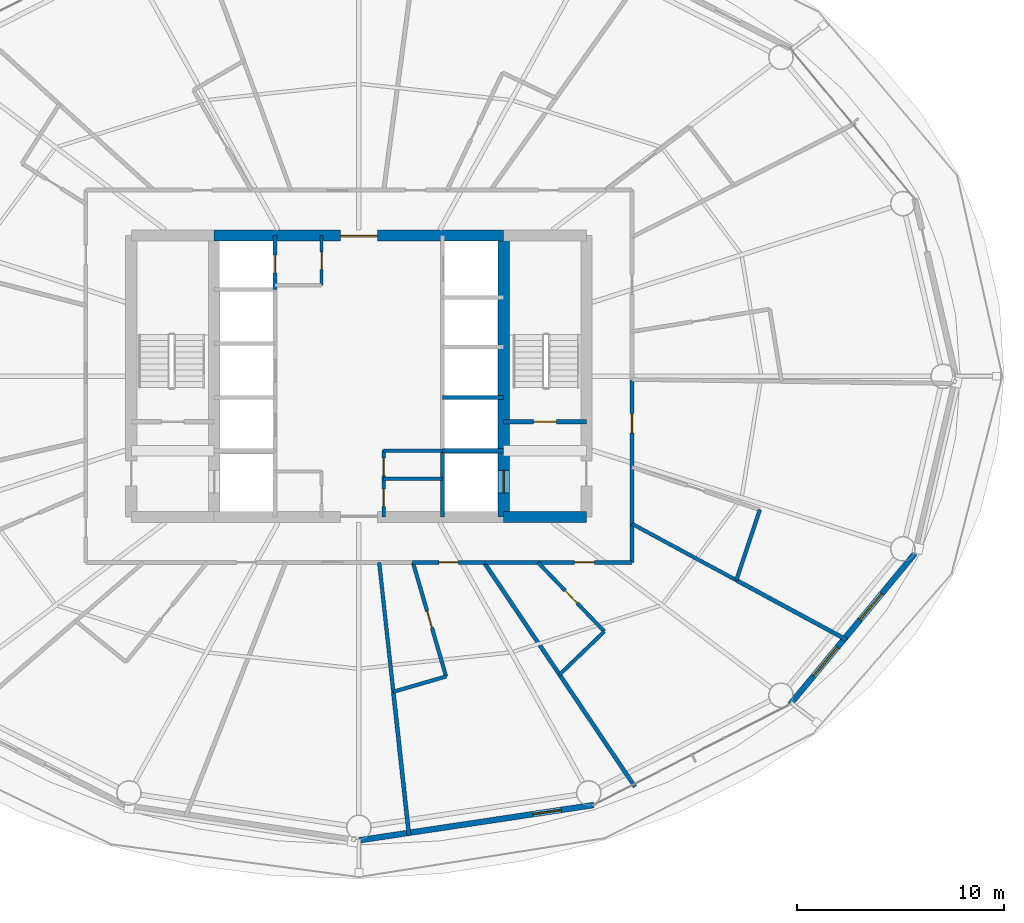
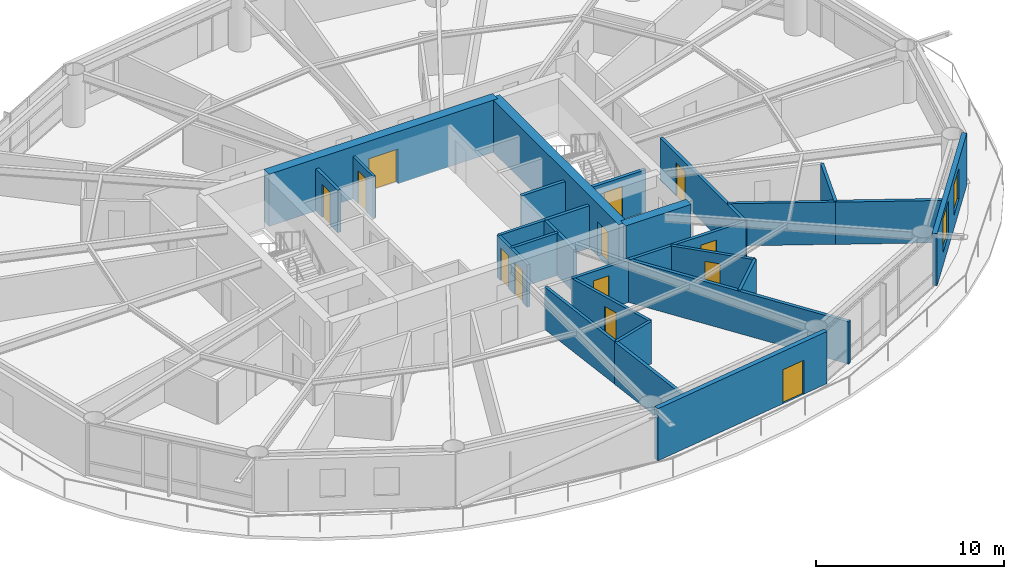
# One storey, part 19 of 24: 27 walls, 13 doors, 2 windows, 15 openings.
"""IFC4 building model written with IfcOpenShell, lengths in metres."""

from ifc_helpers import new_model, si_unit, direction, frame, frame_2d, origin, place, context, subcontext, project, spatial, rectangle, extrude, material, layer, layer_set, type_object, element, fill, save


model = new_model("IFC4")

# Units and contexts
model_context = context("Model", 3, precision=1e-05, world=origin(), true_north=direction((0.0, 1.0)))
body_context = subcontext(model_context, "Body", "Model", "MODEL_VIEW")
ifc_project = project(units=[si_unit("LENGTHUNIT", "METRE"), si_unit("AREAUNIT", "SQUARE_METRE"), si_unit("VOLUMEUNIT", "CUBIC_METRE"), si_unit("PLANEANGLEUNIT", "RADIAN"), si_unit("MASSUNIT", "GRAM", prefix="KILO")], contexts=[model_context])

# Site, building, storey
site_placement = place(None, origin())
site = spatial("IfcSite", under=ifc_project, at=site_placement, CompositionType="ELEMENT")
building_placement = place(site_placement, origin())
building = spatial("IfcBuilding", under=site, at=building_placement, Name="Sarneth Arch Tower", CompositionType="ELEMENT")
storey_placement = place(building_placement, frame((0.0, 0.0, 105.60009765625)))
storey = spatial("IfcBuildingStorey", under=building, at=storey_placement, Name="L26", CompositionType="ELEMENT", Elevation=105.60009765625)

# Wall
ifc_material_1 = material(Name="Concrete C60/75", Category="concrete")
ifc_layer_1 = layer(ifc_material_1, 0.550048828125)
ifc_layer_set_1 = layer_set([ifc_layer_1], Name="Concrete C60/75")
wall_type_1 = type_object("IfcWallType", Name="WALL-CORE-550", PredefinedType="SHEAR", material=ifc_layer_set_1)
wall_1_placement = place(storey_placement, frame((55.0, 35.199951171875, 0.0), z_axis=(0.0, 0.0, 1.0), x_axis=(1.0, 0.0, 0.0)))
element("IfcWall", 1, at=wall_1_placement, inside=storey, type_object=wall_type_1, Name="L26 Core shear wall S-E", PredefinedType="SHEAR", context=body_context, shape_type="SweptSolid", body=[
    extrude(rectangle(XDim=4.0, YDim=0.550048828125, at=frame_2d((2.0, 0.0))), origin(), (0.0, 0.0, 1.0), 3.3798828125),
])

# Wall, opening, door
wall_2_placement = place(storey_placement, frame((41.0, 48.800048828125, 0.0), z_axis=(0.0, 0.0, 1.0), x_axis=(1.0, 0.0, 0.0)))
wall_2 = element("IfcWall", 2, at=wall_2_placement, inside=storey, type_object=wall_type_1, Name="L26 Core shear wall N-M", PredefinedType="SHEAR", context=body_context, shape_type="SweptSolid", body=[
    extrude(rectangle(XDim=14.0, YDim=0.550048828125, at=frame_2d((7.0, 0.0))), origin(), (0.0, 0.0, 1.0), 3.3798828125),
])
opening_1_placement = place(wall_2_placement, frame((6.10009765625, 0.0, 0.0)))
opening_1 = element("IfcOpeningElement", 3, at=opening_1_placement, cuts=wall_2, Name="Opening FD-01", PredefinedType="OPENING", context=body_context, shape_type="SweptSolid", body=[
    extrude(rectangle(XDim=1.800048828125, YDim=2.25, at=frame_2d((0.89990234375, 1.125))), frame((0.0, 0.284912109375, 0.0), z_axis=(0.0, -1.0, 0.0), x_axis=(1.0, 0.0, 0.0)), (0.0, 0.0, 1.0), 0.570068359375),
])
ifc_material_2 = material(Name="Galvanised Steel S275 fire door set", Category="steel")
door_type_1 = type_object("IfcDoorType", Name="DR-FD90-1800", OperationType="DOUBLE_DOOR_SINGLE_SWING", PredefinedType="DOOR", material=ifc_material_2)
door_1_placement = place(opening_1_placement, origin())
door_1 = element("IfcDoor", 4, at=door_1_placement, inside=storey, type_object=door_type_1, Name="L26 Central lift lobby north door", OperationType="DOUBLE_DOOR_SINGLE_SWING", OverallHeight=2.25, OverallWidth=1.800048828125, PredefinedType="DOOR", context=body_context, shape_type="SweptSolid", body=[
    extrude(rectangle(XDim=1.800048828125, YDim=2.25, at=frame_2d((0.89990234375, 1.125))), frame((0.0, 0.02490234375, 0.0), z_axis=(0.0, -1.0, 0.0), x_axis=(1.0, 0.0, 0.0)), (0.0, 0.0, 1.0), 0.050048828125),
])
fill(opening_1, door_1)

wall_3_placement = place(storey_placement, frame((55.0, 35.199951171875, 0.0), z_axis=(0.0, 0.0, 1.0), x_axis=(0.0, 1.0, 0.0)))
wall_3 = element("IfcWall", 5, at=wall_3_placement, inside=storey, type_object=wall_type_1, Name="L26 Core shear wall WEB-E", PredefinedType="SHEAR", context=body_context, shape_type="SweptSolid", body=[
    extrude(rectangle(XDim=13.60009765625, YDim=0.550048828125, at=frame_2d((6.800048828125, 0.0))), origin(), (0.0, 0.0, 1.0), 3.3798828125),
])
opening_2_placement = place(wall_3_placement, frame((1.14990234375, 0.0, 0.0)))
opening_2 = element("IfcOpeningElement", 6, at=opening_2_placement, cuts=wall_3, Name="Opening LD-1", PredefinedType="OPENING", context=body_context, shape_type="SweptSolid", body=[
    extrude(rectangle(XDim=1.10009765625, YDim=2.199951171875, at=frame_2d((0.550048828125, 1.10009765625))), frame((0.0, 0.284912109375, 0.0), z_axis=(0.0, -1.0, 0.0), x_axis=(1.0, 0.0, 0.0)), (0.0, 0.0, 1.0), 0.570068359375),
])
ifc_material_3 = material(Name="Brushed Stainless Steel 304 lift landing door", Category="steel")
door_type_2 = type_object("IfcDoorType", Name="DR-LIFT-SLIDE-1100", OperationType="SLIDING_TO_LEFT", PredefinedType="DOOR", material=ifc_material_3)
door_2_placement = place(opening_2_placement, origin())
door_2 = element("IfcDoor", 7, at=door_2_placement, inside=storey, type_object=door_type_2, Name="L26 Firefighting lift landing door FL-2", OperationType="SLIDING_TO_RIGHT", OverallHeight=2.199951171875, OverallWidth=1.10009765625, PredefinedType="DOOR", context=body_context, shape_type="SweptSolid", body=[
    extrude(rectangle(XDim=1.10009765625, YDim=2.199951171875, at=frame_2d((0.550048828125, 1.10009765625))), frame((0.0, 0.02490234375, 0.0), z_axis=(0.0, -1.0, 0.0), x_axis=(1.0, 0.0, 0.0)), (0.0, 0.0, 1.0), 0.050048828125),
])
fill(opening_2, door_2)

ifc_material_4 = material(Name="Double steel-stud corridor fire wall", Category="steel")
ifc_layer_2 = layer(ifc_material_4, 0.18994140625)
ifc_layer_set_2 = layer_set([ifc_layer_2], Name="Double steel-stud corridor fire wall")
wall_type_2 = type_object("IfcWallType", Name="WALL-CORR-190", PredefinedType="PARTITIONING", material=ifc_layer_set_2)
wall_4_placement = place(storey_placement, frame((61.199951171875, 33.0, 0.0), z_axis=(0.0, 0.0, 1.0), x_axis=(-1.0, 0.0, 0.0)))
wall_4 = element("IfcWall", 8, at=wall_4_placement, inside=storey, type_object=wall_type_2, Name="L26 Interior partition W-L26-TP-022", PredefinedType="PARTITIONING", context=body_context, shape_type="SweptSolid", body=[
    extrude(rectangle(XDim=7.185546875, YDim=0.18994140625, at=frame_2d((3.5927734375, 0.0))), origin(), (0.0, 0.0, 1.0), 2.739990234375),
])
opening_3_placement = place(wall_4_placement, frame((1.81787109375, 0.0, 0.0)))
opening_3 = element("IfcOpeningElement", 9, at=opening_3_placement, cuts=wall_4, Name="Opening FD-09", PredefinedType="OPENING", context=body_context, shape_type="SweptSolid", body=[
    extrude(rectangle(XDim=0.949951171875, YDim=2.14990234375, at=frame_2d((0.47509765625, 1.074951171875))), frame((0.0, 0.10498046875, 0.0), z_axis=(0.0, -1.0, 0.0), x_axis=(1.0, 0.0, 0.0)), (0.0, 0.0, 1.0), 0.2099609375),
])
ifc_material_5 = material(Name="Hardwood timber hotel entrance fire door", Category="wood")
door_type_3 = type_object("IfcDoorType", Name="DR-FD60-950", OperationType="SINGLE_SWING_RIGHT", PredefinedType="DOOR", material=ifc_material_5)
door_3_placement = place(opening_3_placement, origin())
door_3 = element("IfcDoor", 10, at=door_3_placement, inside=storey, type_object=door_type_3, Name="L26 Interior door DR-L26-KEY-11", OperationType="SINGLE_SWING_LEFT", OverallHeight=2.14990234375, OverallWidth=0.949951171875, PredefinedType="DOOR", context=body_context, shape_type="SweptSolid", body=[
    extrude(rectangle(XDim=0.949951171875, YDim=2.14990234375, at=frame_2d((0.47509765625, 1.074951171875))), frame((0.0, 0.02490234375, 0.0), z_axis=(0.0, -1.0, 0.0), x_axis=(1.0, 0.0, 0.0)), (0.0, 0.0, 1.0), 0.050048828125),
])
fill(opening_3, door_3)

wall_5_placement = place(storey_placement, frame((61.199951171875, 41.87255859375, 0.0), z_axis=(0.0, 0.0, 1.0), x_axis=(0.0, -1.0, 0.0)))
wall_5 = element("IfcWall", 11, at=wall_5_placement, inside=storey, type_object=wall_type_2, Name="L26 Interior partition W-L26-TP-024", PredefinedType="PARTITIONING", context=body_context, shape_type="SweptSolid", body=[
    extrude(rectangle(XDim=8.87255859375, YDim=0.18994140625, at=frame_2d((4.436279296875, 0.0))), origin(), (0.0, 0.0, 1.0), 2.739990234375),
])
opening_4_placement = place(wall_5_placement, frame((1.675537109375, 0.0, 0.0)))
opening_4 = element("IfcOpeningElement", 12, at=opening_4_placement, cuts=wall_5, Name="Opening FD-09", PredefinedType="OPENING", context=body_context, shape_type="SweptSolid", body=[
    extrude(rectangle(XDim=0.949951171875, YDim=2.14990234375, at=frame_2d((0.47509765625, 1.074951171875))), frame((0.0, 0.10498046875, 0.0), z_axis=(0.0, -1.0, 0.0), x_axis=(1.0, 0.0, 0.0)), (0.0, 0.0, 1.0), 0.2099609375),
])
door_4_placement = place(opening_4_placement, origin())
door_4 = element("IfcDoor", 13, at=door_4_placement, inside=storey, type_object=door_type_3, Name="L26 Interior door DR-L26-KEY-12", OperationType="SINGLE_SWING_RIGHT", OverallHeight=2.14990234375, OverallWidth=0.949951171875, PredefinedType="DOOR", context=body_context, shape_type="SweptSolid", body=[
    extrude(rectangle(XDim=0.949951171875, YDim=2.14990234375, at=frame_2d((0.47509765625, 1.074951171875))), frame((0.0, 0.02490234375, 0.0), z_axis=(0.0, -1.0, 0.0), x_axis=(1.0, 0.0, 0.0)), (0.0, 0.0, 1.0), 0.050048828125),
])
fill(opening_4, door_4)

wall_6_placement = place(storey_placement, frame((54.091552734375, 33.0, 0.0), z_axis=(0.0, 0.0, 1.0), x_axis=(-1.0, 0.0, 0.0)))
wall_6 = element("IfcWall", 14, at=wall_6_placement, inside=storey, type_object=wall_type_2, Name="L26 Interior partition W-L26-TP-019", PredefinedType="PARTITIONING", context=body_context, shape_type="SweptSolid", body=[
    extrude(rectangle(XDim=3.51025390625, YDim=0.18994140625, at=frame_2d((1.755126953125, 0.0))), origin(), (0.0, 0.0, 1.0), 2.739990234375),
])
opening_5_placement = place(wall_6_placement, frame((1.280029296875, 0.0, 0.0)))
opening_5 = element("IfcOpeningElement", 15, at=opening_5_placement, cuts=wall_6, Name="Opening FD-09", PredefinedType="OPENING", context=body_context, shape_type="SweptSolid", body=[
    extrude(rectangle(XDim=0.949951171875, YDim=2.14990234375, at=frame_2d((0.47509765625, 1.074951171875))), frame((0.0, 0.10498046875, 0.0), z_axis=(0.0, -1.0, 0.0), x_axis=(1.0, 0.0, 0.0)), (0.0, 0.0, 1.0), 0.2099609375),
])
door_5_placement = place(opening_5_placement, origin())
door_5 = element("IfcDoor", 16, at=door_5_placement, inside=storey, type_object=door_type_3, Name="L26 Interior door DR-L26-KEY-10", OperationType="SINGLE_SWING_LEFT", OverallHeight=2.14990234375, OverallWidth=0.949951171875, PredefinedType="DOOR", context=body_context, shape_type="SweptSolid", body=[
    extrude(rectangle(XDim=0.949951171875, YDim=2.14990234375, at=frame_2d((0.47509765625, 1.074951171875))), frame((0.0, 0.02490234375, 0.0), z_axis=(0.0, -1.0, 0.0), x_axis=(1.0, 0.0, 0.0)), (0.0, 0.0, 1.0), 0.050048828125),
])
fill(opening_5, door_5)

ifc_material_6 = material(Name="Extruded terracotta rainscreen on Concrete C40/50 backing", Category="masonry")
ifc_layer_3 = layer(ifc_material_6, 0.280029296875)
ifc_layer_set_3 = layer_set([ifc_layer_3], Name="Extruded terracotta rainscreen on Concrete C40/50 backing")
wall_type_3 = type_object("IfcWallType", Name="WALL-EXT-TERRA-280", PredefinedType="SOLIDWALL", material=ifc_layer_set_3)
wall_7_placement = place(storey_placement, frame((48.0, 19.570068359375, 0.0), z_axis=(0.0, 0.0, 1.0), x_axis=(0.988877774656, 0.148730450117, 0.0)))
wall_7 = element("IfcWall", 17, at=wall_7_placement, inside=storey, type_object=wall_type_3, Name="L26 Terracotta perimeter wall 13", PredefinedType="SOLIDWALL", context=body_context, shape_type="SweptSolid", body=[
    extrude(rectangle(XDim=11.47900390625, YDim=0.280029296875, at=frame_2d((5.739501953125, 0.0))), origin(), (0.0, 0.0, 1.0), 3.3798828125),
])
opening_6_placement = place(wall_7_placement, frame((8.497314453125, 0.0, 0.0)))
opening_6 = element("IfcOpeningElement", 18, at=opening_6_placement, cuts=wall_7, Name="Opening BD-2", PredefinedType="OPENING", context=body_context, shape_type="SweptSolid", body=[
    extrude(rectangle(XDim=1.39990234375, YDim=2.199951171875, at=frame_2d((0.699951171875, 1.10009765625))), frame((0.0, 0.14990234375, 0.0), z_axis=(0.0, -1.0, 0.0), x_axis=(1.0, 0.0, 0.0)), (0.0, 0.0, 1.0), 0.300048828125),
])
ifc_material_7 = material(Name="Thermally broken Aluminium 6063-T6 and laminated safety glass", Category="aluminium")
door_type_4 = type_object("IfcDoorType", Name="DR-BALC-GLZ-1400", OperationType="SINGLE_SWING_LEFT", PredefinedType="DOOR", material=ifc_material_7)
door_6_placement = place(opening_6_placement, origin())
door_6 = element("IfcDoor", 19, at=door_6_placement, inside=storey, type_object=door_type_4, Name="L26 Balcony glazed door 13", OperationType="SINGLE_SWING_LEFT", OverallHeight=2.199951171875, OverallWidth=1.39990234375, PredefinedType="DOOR", context=body_context, shape_type="SweptSolid", body=[
    extrude(rectangle(XDim=1.39990234375, YDim=2.199951171875, at=frame_2d((0.699951171875, 1.10009765625))), frame((0.0, 0.02490234375, 0.0), z_axis=(0.0, -1.0, 0.0), x_axis=(1.0, 0.0, 0.0)), (0.0, 0.0, 1.0), 0.050048828125),
])
fill(opening_6, door_6)

# Wall, openings, windows
wall_8_placement = place(storey_placement, frame((68.840087890625, 26.1396484375, 0.0), z_axis=(0.0, 0.0, 1.0), x_axis=(0.637505817448, 0.770445541696, 0.0)))
wall_8 = element("IfcWall", 20, at=wall_8_placement, inside=storey, type_object=wall_type_3, Name="L26 Terracotta perimeter wall 15", PredefinedType="SOLIDWALL", context=body_context, shape_type="SweptSolid", body=[
    extrude(rectangle(XDim=9.445068359375, YDim=0.280029296875, at=frame_2d((4.72265625, 0.0))), origin(), (0.0, 0.0, 1.0), 3.3798828125),
])
opening_7_placement = place(wall_8_placement, frame((1.780029296875, 0.0, 0.85009765625)))
opening_7 = element("IfcOpeningElement", 21, at=opening_7_placement, cuts=wall_8, Name="Opening W-04", PredefinedType="OPENING", context=body_context, shape_type="SweptSolid", body=[
    extrude(rectangle(XDim=1.800048828125, YDim=2.199951171875, at=frame_2d((0.89990234375, 1.10009765625))), frame((0.0, 0.14990234375, 0.0), z_axis=(0.0, -1.0, 0.0), x_axis=(1.0, 0.0, 0.0)), (0.0, 0.0, 1.0), 0.300048828125),
])
opening_8_placement = place(wall_8_placement, frame((5.30810546875, 0.0, 0.85009765625)))
opening_8 = element("IfcOpeningElement", 22, at=opening_8_placement, cuts=wall_8, Name="Opening W-05", PredefinedType="OPENING", context=body_context, shape_type="SweptSolid", body=[
    extrude(rectangle(XDim=1.64990234375, YDim=2.0, at=frame_2d((0.824951171875, 1.0))), frame((0.0, 0.14990234375, 0.0), z_axis=(0.0, -1.0, 0.0), x_axis=(1.0, 0.0, 0.0)), (0.0, 0.0, 1.0), 0.300048828125),
])
ifc_material_8 = material(Name="Thermally broken Aluminium 6063-T6 and low-e laminated IGU", Category="aluminium")
window_type_1 = type_object("IfcWindowType", Name="WIN-TWR-1650x2000", PartitioningType="DOUBLE_PANEL_VERTICAL", PredefinedType="WINDOW", material=ifc_material_8)
window_1_placement = place(opening_8_placement, origin())
window_1 = element("IfcWindow", 23, at=window_1_placement, inside=storey, type_object=window_type_1, Name="L26 Exterior window 15B", OverallHeight=2.0, OverallWidth=1.64990234375, PartitioningType="SINGLE_PANEL", PredefinedType="WINDOW", context=body_context, shape_type="SweptSolid", body=[
    extrude(rectangle(XDim=1.64990234375, YDim=2.0, at=frame_2d((0.824951171875, 1.0))), frame((0.0, 0.030029296875, 0.0), z_axis=(0.0, -1.0, 0.0), x_axis=(1.0, 0.0, 0.0)), (0.0, 0.0, 1.0), 0.06005859375),
])
fill(opening_8, window_1)
ifc_material_9 = material(Name="Thermally broken Aluminium 6063-T6 and low-e laminated IGU", Category="aluminium")
window_type_2 = type_object("IfcWindowType", Name="WIN-TWR-1800x2200", PartitioningType="DOUBLE_PANEL_VERTICAL", PredefinedType="WINDOW", material=ifc_material_9)
window_2_placement = place(opening_7_placement, origin())
window_2 = element("IfcWindow", 24, at=window_2_placement, inside=storey, type_object=window_type_2, Name="L26 Exterior window 15A", OverallHeight=2.199951171875, OverallWidth=1.800048828125, PartitioningType="SINGLE_PANEL", PredefinedType="WINDOW", context=body_context, shape_type="SweptSolid", body=[
    extrude(rectangle(XDim=1.800048828125, YDim=2.199951171875, at=frame_2d((0.89990234375, 1.10009765625))), frame((0.0, 0.030029296875, 0.0), z_axis=(0.0, -1.0, 0.0), x_axis=(1.0, 0.0, 0.0)), (0.0, 0.0, 1.0), 0.06005859375),
])
fill(opening_7, window_2)

# Wall, opening, door
ifc_material_10 = material(Name="Acoustic gypsum stud partition", Category="gypsum")
ifc_layer_4 = layer(ifc_material_10, 0.14990234375)
ifc_layer_set_4 = layer_set([ifc_layer_4], Name="Acoustic gypsum stud partition")
wall_type_4 = type_object("IfcWallType", Name="WALL-PART-150", PredefinedType="PARTITIONING", material=ifc_layer_set_4)
wall_9_placement = place(storey_placement, frame((46.199951171875, 46.39990234375, 0.0), z_axis=(0.0, 0.0, 1.0), x_axis=(0.0, 1.0, 0.0)))
wall_9 = element("IfcWall", 25, at=wall_9_placement, inside=storey, type_object=wall_type_4, Name="L26 Interior partition W-L26-CSUP2-E", PredefinedType="PARTITIONING", context=body_context, shape_type="SweptSolid", body=[
    extrude(rectangle(XDim=2.400146484375, YDim=0.14990234375, at=frame_2d((1.2001953125, 0.0))), origin(), (0.0, 0.0, 1.0), 2.739990234375),
])
opening_9_placement = place(wall_9_placement, frame((0.75, 0.0, 0.0)))
opening_9 = element("IfcOpeningElement", 26, at=opening_9_placement, cuts=wall_9, Name="Opening FD-11", PredefinedType="OPENING", context=body_context, shape_type="SweptSolid", body=[
    extrude(rectangle(XDim=0.85009765625, YDim=2.14990234375, at=frame_2d((0.425048828125, 1.074951171875))), frame((0.0, 0.0849609375, 0.0), z_axis=(0.0, -1.0, 0.0), x_axis=(1.0, 0.0, 0.0)), (0.0, 0.0, 1.0), 0.169921875),
])
ifc_material_11 = material(Name="Galvanised Steel S275 closet fire door", Category="steel")
door_type_5 = type_object("IfcDoorType", Name="DR-FD60-850", OperationType="SINGLE_SWING_LEFT", PredefinedType="DOOR", material=ifc_material_11)
door_7_placement = place(opening_9_placement, origin())
door_7 = element("IfcDoor", 27, at=door_7_placement, inside=storey, type_object=door_type_5, Name="L26 Interior door DR-L26-CSUP2", OperationType="SINGLE_SWING_RIGHT", OverallHeight=2.14990234375, OverallWidth=0.85009765625, PredefinedType="DOOR", context=body_context, shape_type="SweptSolid", body=[
    extrude(rectangle(XDim=0.85009765625, YDim=2.14990234375, at=frame_2d((0.425048828125, 1.074951171875))), frame((0.0, 0.02490234375, 0.0), z_axis=(0.0, -1.0, 0.0), x_axis=(1.0, 0.0, 0.0)), (0.0, 0.0, 1.0), 0.050048828125),
])
fill(opening_9, door_7)

# Walls
ifc_material_12 = material(Name="Moisture-resistant plumbing chase wall", Category="gypsum")
ifc_layer_5 = layer(ifc_material_12, 0.179931640625)
ifc_layer_set_5 = layer_set([ifc_layer_5], Name="Moisture-resistant plumbing chase wall")
wall_type_5 = type_object("IfcWallType", Name="WALL-PLUMB-180", PredefinedType="PLUMBINGWALL", material=ifc_layer_set_5)
for number, where, z_axis, x_axis, name in (
    (28, (49.199951171875, 37.050048828125, 0.0), (0.0, 0.0, 1.0), (1.0, 0.0, 0.0), "L26 Interior partition W-L26-AWC-M"),
    (29, (49.199951171875, 38.39990234375, 0.0), (0.0, 0.0, 1.0), (1.0, 0.0, 0.0), "L26 Interior partition W-L26-AWC-N"),
):
    element("IfcWall", number, at=place(storey_placement, frame(where, z_axis=z_axis, x_axis=x_axis)), inside=storey, type_object=wall_type_5, Name=name, PredefinedType="PLUMBINGWALL", context=body_context, shape_type="SweptSolid", body=[
        extrude(rectangle(XDim=2.85009765625, YDim=0.179931640625, at=frame_2d((1.425048828125, 0.0))), origin(), (0.0, 0.0, 1.0), 2.739990234375),
    ])

# Wall, openings, doors
wall_10_placement = place(storey_placement, frame((49.199951171875, 35.199951171875, 0.0), z_axis=(0.0, 0.0, 1.0), x_axis=(0.0, 1.0, 0.0)))
wall_10 = element("IfcWall", 30, at=wall_10_placement, inside=storey, type_object=wall_type_5, Name="L26 Interior partition W-L26-AWC-W", PredefinedType="PLUMBINGWALL", context=body_context, shape_type="SweptSolid", body=[
    extrude(rectangle(XDim=3.199951171875, YDim=0.179931640625, at=frame_2d((1.60009765625, 0.0))), origin(), (0.0, 0.0, 1.0), 2.739990234375),
])
opening_10_placement = place(wall_10_placement, frame((0.5, 0.0, 0.0)))
opening_10 = element("IfcOpeningElement", 31, at=opening_10_placement, cuts=wall_10, Name="Opening ID-02", PredefinedType="OPENING", context=body_context, shape_type="SweptSolid", body=[
    extrude(rectangle(XDim=0.85009765625, YDim=2.10009765625, at=frame_2d((0.425048828125, 1.050048828125))), frame((0.0, 0.099853515625, 0.0), z_axis=(0.0, -1.0, 0.0), x_axis=(1.0, 0.0, 0.0)), (0.0, 0.0, 1.0), 0.199951171875),
])
opening_11_placement = place(wall_10_placement, frame((2.0, 0.0, 0.0)))
opening_11 = element("IfcOpeningElement", 32, at=opening_11_placement, cuts=wall_10, Name="Opening FD-11", PredefinedType="OPENING", context=body_context, shape_type="SweptSolid", body=[
    extrude(rectangle(XDim=0.85009765625, YDim=2.14990234375, at=frame_2d((0.425048828125, 1.074951171875))), frame((0.0, 0.099853515625, 0.0), z_axis=(0.0, -1.0, 0.0), x_axis=(1.0, 0.0, 0.0)), (0.0, 0.0, 1.0), 0.199951171875),
])
door_8_placement = place(opening_11_placement, origin())
door_8 = element("IfcDoor", 33, at=door_8_placement, inside=storey, type_object=door_type_5, Name="L26 Interior door DR-L26-CSUP3", OperationType="SINGLE_SWING_LEFT", OverallHeight=2.14990234375, OverallWidth=0.85009765625, PredefinedType="DOOR", context=body_context, shape_type="SweptSolid", body=[
    extrude(rectangle(XDim=0.85009765625, YDim=2.14990234375, at=frame_2d((0.425048828125, 1.074951171875))), frame((0.0, 0.02490234375, 0.0), z_axis=(0.0, -1.0, 0.0), x_axis=(1.0, 0.0, 0.0)), (0.0, 0.0, 1.0), 0.050048828125),
])
fill(opening_11, door_8)
ifc_material_13 = material(Name="Moisture-resistant bathroom timber door", Category="wood")
door_type_6 = type_object("IfcDoorType", Name="DR-INT-850", OperationType="SINGLE_SWING_RIGHT", PredefinedType="DOOR", material=ifc_material_13)
door_9_placement = place(opening_10_placement, origin())
door_9 = element("IfcDoor", 34, at=door_9_placement, inside=storey, type_object=door_type_6, Name="L26 Interior door DR-L26-AWC", OperationType="SINGLE_SWING_RIGHT", OverallHeight=2.10009765625, OverallWidth=0.85009765625, PredefinedType="DOOR", context=body_context, shape_type="SweptSolid", body=[
    extrude(rectangle(XDim=0.85009765625, YDim=2.10009765625, at=frame_2d((0.425048828125, 1.050048828125))), frame((0.0, 0.02490234375, 0.0), z_axis=(0.0, -1.0, 0.0), x_axis=(1.0, 0.0, 0.0)), (0.0, 0.0, 1.0), 0.050048828125),
])
fill(opening_10, door_9)

# Wall
wall_11_placement = place(storey_placement, frame((49.6650390625, 26.74951171875, 0.0), z_axis=(0.0, 0.0, 1.0), x_axis=(-0.108526347032, 0.99409357306, 0.0)))
element("IfcWall", 35, at=wall_11_placement, inside=storey, type_object=wall_type_5, Name="L26 Interior partition W-L26-TP-056", PredefinedType="PLUMBINGWALL", context=body_context, shape_type="SweptSolid", body=[
    extrude(rectangle(XDim=6.28759765625, YDim=0.179931640625, at=frame_2d((3.143798828125, 0.0))), origin(), (0.0, 0.0, 1.0), 2.739990234375),
])

# Wall, opening, door
wall_12_placement = place(storey_placement, frame((50.61474609375, 33.0, 0.0), z_axis=(0.0, 0.0, 1.0), x_axis=(0.278967165891, -0.960300640609, 0.0)))
wall_12 = element("IfcWall", 36, at=wall_12_placement, inside=storey, type_object=wall_type_5, Name="L26 Interior partition W-L26-TP-057", PredefinedType="PLUMBINGWALL", context=body_context, shape_type="SweptSolid", body=[
    extrude(rectangle(XDim=5.737548828125, YDim=0.179931640625, at=frame_2d((2.86865234375, 0.0))), origin(), (0.0, 0.0, 1.0), 2.739990234375),
])
opening_12_placement = place(wall_12_placement, frame((2.44384765625, 0.0, 0.0)))
opening_12 = element("IfcOpeningElement", 37, at=opening_12_placement, cuts=wall_12, Name="Opening ID-02", PredefinedType="OPENING", context=body_context, shape_type="SweptSolid", body=[
    extrude(rectangle(XDim=0.85009765625, YDim=2.10009765625, at=frame_2d((0.425048828125, 1.050048828125))), frame((0.0, 0.099853515625, 0.0), z_axis=(0.0, -1.0, 0.0), x_axis=(1.0, 0.0, 0.0)), (0.0, 0.0, 1.0), 0.199951171875),
])
door_10_placement = place(opening_12_placement, origin())
door_10 = element("IfcDoor", 38, at=door_10_placement, inside=storey, type_object=door_type_6, Name="L26 Interior door DR-L26-ENS-10", OperationType="SINGLE_SWING_LEFT", OverallHeight=2.10009765625, OverallWidth=0.85009765625, PredefinedType="DOOR", context=body_context, shape_type="SweptSolid", body=[
    extrude(rectangle(XDim=0.85009765625, YDim=2.10009765625, at=frame_2d((0.425048828125, 1.050048828125))), frame((0.0, 0.02490234375, 0.0), z_axis=(0.0, -1.0, 0.0), x_axis=(1.0, 0.0, 0.0)), (0.0, 0.0, 1.0), 0.050048828125),
])
fill(opening_12, door_10)

# Wall
wall_13_placement = place(storey_placement, frame((66.242919921875, 32.142578125, 0.0), z_axis=(0.0, 0.0, 1.0), x_axis=(-0.879784992633, 0.475371819461, 0.0)))
element("IfcWall", 39, at=wall_13_placement, inside=storey, type_object=wall_type_5, Name="L26 Interior partition W-L26-TP-064", PredefinedType="PLUMBINGWALL", context=body_context, shape_type="SweptSolid", body=[
    extrude(rectangle(XDim=5.73193359375, YDim=0.179931640625, at=frame_2d((2.865966796875, 0.0))), origin(), (0.0, 0.0, 1.0), 2.739990234375),
])

# Wall, opening, door
wall_14_placement = place(storey_placement, frame((59.8662109375, 29.666015625, 0.0), z_axis=(0.0, 0.0, 1.0), x_axis=(-0.693306956927, 0.720642396392, 0.0)))
wall_14 = element("IfcWall", 40, at=wall_14_placement, inside=storey, type_object=wall_type_5, Name="L26 Interior partition W-L26-TP-062", PredefinedType="PLUMBINGWALL", context=body_context, shape_type="SweptSolid", body=[
    extrude(rectangle(XDim=4.62646484375, YDim=0.179931640625, at=frame_2d((2.313232421875, 0.0))), origin(), (0.0, 0.0, 1.0), 2.739990234375),
])
opening_13_placement = place(wall_14_placement, frame((1.88818359375, 0.0, 0.0)))
opening_13 = element("IfcOpeningElement", 41, at=opening_13_placement, cuts=wall_14, Name="Opening ID-02", PredefinedType="OPENING", context=body_context, shape_type="SweptSolid", body=[
    extrude(rectangle(XDim=0.85009765625, YDim=2.10009765625, at=frame_2d((0.425048828125, 1.050048828125))), frame((0.0, 0.099853515625, 0.0), z_axis=(0.0, -1.0, 0.0), x_axis=(1.0, 0.0, 0.0)), (0.0, 0.0, 1.0), 0.199951171875),
])
door_11_placement = place(opening_13_placement, origin())
door_11 = element("IfcDoor", 42, at=door_11_placement, inside=storey, type_object=door_type_6, Name="L26 Interior door DR-L26-ENS-11", OperationType="SINGLE_SWING_LEFT", OverallHeight=2.10009765625, OverallWidth=0.85009765625, PredefinedType="DOOR", context=body_context, shape_type="SweptSolid", body=[
    extrude(rectangle(XDim=0.85009765625, YDim=2.10009765625, at=frame_2d((0.425048828125, 1.050048828125))), frame((0.0, 0.02490234375, 0.0), z_axis=(0.0, -1.0, 0.0), x_axis=(1.0, 0.0, 0.0)), (0.0, 0.0, 1.0), 0.050048828125),
])
fill(opening_13, door_11)

# Walls
wall_15_placement = place(storey_placement, frame((67.376708984375, 35.54833984375, 0.0), z_axis=(0.0, 0.0, 1.0), x_axis=(-0.315860462711, -0.948805653491, 0.0)))
element("IfcWall", 43, at=wall_15_placement, inside=storey, type_object=wall_type_5, Name="L26 Interior partition W-L26-TP-066", PredefinedType="PLUMBINGWALL", context=body_context, shape_type="SweptSolid", body=[
    extrude(rectangle(XDim=3.589599609375, YDim=0.179931640625, at=frame_2d((1.794921875, 0.0))), origin(), (0.0, 0.0, 1.0), 2.739990234375),
])
wall_16_placement = place(storey_placement, frame((57.697998046875, 27.580322265625, 0.0), z_axis=(0.0, 0.0, 1.0), x_axis=(0.720688028056, 0.693259522991, 0.0)))
element("IfcWall", 44, at=wall_16_placement, inside=storey, type_object=wall_type_5, Name="L26 Interior partition W-L26-TP-061", PredefinedType="PLUMBINGWALL", context=body_context, shape_type="SweptSolid", body=[
    extrude(rectangle(XDim=3.008544921875, YDim=0.179931640625, at=frame_2d((1.50439453125, 0.0))), origin(), (0.0, 0.0, 1.0), 2.739990234375),
])
wall_17_placement = place(storey_placement, frame((52.21533203125, 27.490234375, 0.0), z_axis=(0.0, 0.0, 1.0), x_axis=(-0.960314459225, -0.278919593078, 0.0)))
element("IfcWall", 45, at=wall_17_placement, inside=storey, type_object=wall_type_5, Name="L26 Interior partition W-L26-TP-058", PredefinedType="PLUMBINGWALL", context=body_context, shape_type="SweptSolid", body=[
    extrude(rectangle(XDim=2.65576171875, YDim=0.179931640625, at=frame_2d((1.327880859375, 0.0))), origin(), (0.0, 0.0, 1.0), 2.739990234375),
])

# Wall, opening, door
ifc_material_14 = material(Name="Aerated concrete blockwork C25/30", Category="masonry")
ifc_layer_6 = layer(ifc_material_14, 0.199951171875)
ifc_layer_set_6 = layer_set([ifc_layer_6], Name="Aerated concrete blockwork C25/30")
wall_type_6 = type_object("IfcWallType", Name="WALL-SHAFT-200", PredefinedType="SOLIDWALL", material=ifc_layer_set_6)
wall_18_placement = place(storey_placement, frame((55.0, 39.800048828125, 0.0), z_axis=(0.0, 0.0, 1.0), x_axis=(1.0, 0.0, 0.0)))
wall_18 = element("IfcWall", 46, at=wall_18_placement, inside=storey, type_object=wall_type_6, Name="L26 Interior partition W-L26-ST2-S", PredefinedType="SOLIDWALL", context=body_context, shape_type="SweptSolid", body=[
    extrude(rectangle(XDim=4.0, YDim=0.199951171875, at=frame_2d((2.0, 0.0))), origin(), (0.0, 0.0, 1.0), 2.739990234375),
])
opening_14_placement = place(wall_18_placement, frame((1.449951171875, 0.0, 0.0)))
opening_14 = element("IfcOpeningElement", 47, at=opening_14_placement, cuts=wall_18, Name="Opening FD-03", PredefinedType="OPENING", context=body_context, shape_type="SweptSolid", body=[
    extrude(rectangle(XDim=1.10009765625, YDim=2.14990234375, at=frame_2d((0.550048828125, 1.074951171875))), frame((0.0, 0.10986328125, 0.0), z_axis=(0.0, -1.0, 0.0), x_axis=(1.0, 0.0, 0.0)), (0.0, 0.0, 1.0), 0.219970703125),
])
ifc_material_15 = material(Name="Galvanised Steel S275 fire door set", Category="steel")
door_type_7 = type_object("IfcDoorType", Name="DR-FD90-1100", OperationType="SINGLE_SWING_LEFT", PredefinedType="DOOR", material=ifc_material_15)
door_12_placement = place(opening_14_placement, origin())
door_12 = element("IfcDoor", 48, at=door_12_placement, inside=storey, type_object=door_type_7, Name="L26 Interior door DR-L26-ST2", OperationType="SINGLE_SWING_RIGHT", OverallHeight=2.14990234375, OverallWidth=1.10009765625, PredefinedType="DOOR", context=body_context, shape_type="SweptSolid", body=[
    extrude(rectangle(XDim=1.10009765625, YDim=2.14990234375, at=frame_2d((0.550048828125, 1.074951171875))), frame((0.0, 0.02490234375, 0.0), z_axis=(0.0, -1.0, 0.0), x_axis=(1.0, 0.0, 0.0)), (0.0, 0.0, 1.0), 0.050048828125),
])
fill(opening_14, door_12)

# Walls
wall_19_placement = place(storey_placement, frame((52.050048828125, 35.199951171875, 0.0), z_axis=(0.0, 0.0, 1.0), x_axis=(0.0, 1.0, 0.0)))
element("IfcWall", 49, at=wall_19_placement, inside=storey, type_object=wall_type_6, Name="L26 Interior partition W-L26-FL2-W", PredefinedType="SOLIDWALL", context=body_context, shape_type="SweptSolid", body=[
    extrude(rectangle(XDim=3.199951171875, YDim=0.199951171875, at=frame_2d((1.60009765625, 0.0))), origin(), (0.0, 0.0, 1.0), 2.739990234375),
])
wall_20_placement = place(storey_placement, frame((52.050048828125, 38.39990234375, 0.0), z_axis=(0.0, 0.0, 1.0), x_axis=(1.0, 0.0, 0.0)))
element("IfcWall", 50, at=wall_20_placement, inside=storey, type_object=wall_type_6, Name="L26 Interior partition W-L26-FL2-N", PredefinedType="SOLIDWALL", context=body_context, shape_type="SweptSolid", body=[
    extrude(rectangle(XDim=2.949951171875, YDim=0.199951171875, at=frame_2d((1.47509765625, 0.0))), origin(), (0.0, 0.0, 1.0), 2.739990234375),
])

# Wall, opening, door
wall_21_placement = place(storey_placement, frame((43.949951171875, 46.199951171875, 0.0), z_axis=(0.0, 0.0, 1.0), x_axis=(0.0, 1.0, 0.0)))
wall_21 = element("IfcWall", 51, at=wall_21_placement, inside=storey, type_object=wall_type_6, Name="L26 Interior partition W-L26-RISER-E", PredefinedType="SOLIDWALL", context=body_context, shape_type="SweptSolid", body=[
    extrude(rectangle(XDim=2.60009765625, YDim=0.199951171875, at=frame_2d((1.300048828125, 0.0))), origin(), (0.0, 0.0, 1.0), 2.739990234375),
])
opening_15_placement = place(wall_21_placement, frame((0.800048828125, 0.0, 0.0)))
opening_15 = element("IfcOpeningElement", 52, at=opening_15_placement, cuts=wall_21, Name="Opening FD-11", PredefinedType="OPENING", context=body_context, shape_type="SweptSolid", body=[
    extrude(rectangle(XDim=0.85009765625, YDim=2.14990234375, at=frame_2d((0.425048828125, 1.074951171875))), frame((0.0, 0.10986328125, 0.0), z_axis=(0.0, -1.0, 0.0), x_axis=(1.0, 0.0, 0.0)), (0.0, 0.0, 1.0), 0.219970703125),
])
door_13_placement = place(opening_15_placement, origin())
door_13 = element("IfcDoor", 53, at=door_13_placement, inside=storey, type_object=door_type_5, Name="L26 Lift landing door DR-L26-RISER", OperationType="SINGLE_SWING_LEFT", OverallHeight=2.14990234375, OverallWidth=0.85009765625, PredefinedType="DOOR", context=body_context, shape_type="SweptSolid", body=[
    extrude(rectangle(XDim=0.85009765625, YDim=2.14990234375, at=frame_2d((0.425048828125, 1.074951171875))), frame((0.0, 0.02490234375, 0.0), z_axis=(0.0, -1.0, 0.0), x_axis=(1.0, 0.0, 0.0)), (0.0, 0.0, 1.0), 0.050048828125),
])
fill(opening_15, door_13)

# Walls
wall_22_placement = place(storey_placement, frame((52.050048828125, 40.97998046875, 0.0), z_axis=(0.0, 0.0, 1.0), x_axis=(1.0, 0.0, 0.0)))
element("IfcWall", 54, at=wall_22_placement, inside=storey, type_object=wall_type_6, Name="L26 Interior partition W-L26-EB-DIV-4098", PredefinedType="SOLIDWALL", context=body_context, shape_type="SweptSolid", body=[
    extrude(rectangle(XDim=2.949951171875, YDim=0.199951171875, at=frame_2d((1.47509765625, 0.0))), origin(), (0.0, 0.0, 1.0), 2.739990234375),
])
ifc_material_16 = material(Name="Double steel-stud acoustic drywall", Category="steel")
ifc_layer_7 = layer(ifc_material_16, 0.199951171875)
ifc_layer_set_7 = layer_set([ifc_layer_7], Name="Double steel-stud acoustic drywall")
wall_type_7 = type_object("IfcWallType", Name="WALL-UNIT-200", PredefinedType="PARTITIONING", material=ifc_layer_set_7)
wall_23_placement = place(storey_placement, frame((50.42236328125, 19.81298828125, 0.0), z_axis=(0.0, 0.0, 1.0), x_axis=(-0.108534266563, 0.994092708444, 0.0)))
element("IfcWall", 55, at=wall_23_placement, inside=storey, type_object=wall_type_7, Name="L26 Interior partition W-L26-TP-055", PredefinedType="PARTITIONING", context=body_context, shape_type="SweptSolid", body=[
    extrude(rectangle(XDim=6.977783203125, YDim=0.199951171875, at=frame_2d((3.48876953125, 0.0))), origin(), (0.0, 0.0, 1.0), 2.739990234375),
])
wall_24_placement = place(storey_placement, frame((54.052978515625, 33.0, 0.0), z_axis=(0.0, 0.0, 1.0), x_axis=(0.558073496329, -0.829791523634, 0.0)))
element("IfcWall", 56, at=wall_24_placement, inside=storey, type_object=wall_type_7, Name="L26 Interior partition W-L26-TP-060", PredefinedType="PARTITIONING", context=body_context, shape_type="SweptSolid", body=[
    extrude(rectangle(XDim=13.059814453125, YDim=0.199951171875, at=frame_2d((6.52978515625, 0.0))), origin(), (0.0, 0.0, 1.0), 2.739990234375),
])
wall_25_placement = place(storey_placement, frame((71.57568359375, 29.260986328125, 0.0), z_axis=(0.0, 0.0, 1.0), x_axis=(-0.879774354245, 0.475391507721, 0.0)))
element("IfcWall", 57, at=wall_25_placement, inside=storey, type_object=wall_type_7, Name="L26 Interior partition W-L26-TP-063", PredefinedType="PARTITIONING", context=body_context, shape_type="SweptSolid", body=[
    extrude(rectangle(XDim=6.0615234375, YDim=0.199951171875, at=frame_2d((3.03076171875, 0.0))), origin(), (0.0, 0.0, 1.0), 2.739990234375),
])

save(model, "model.ifc")
